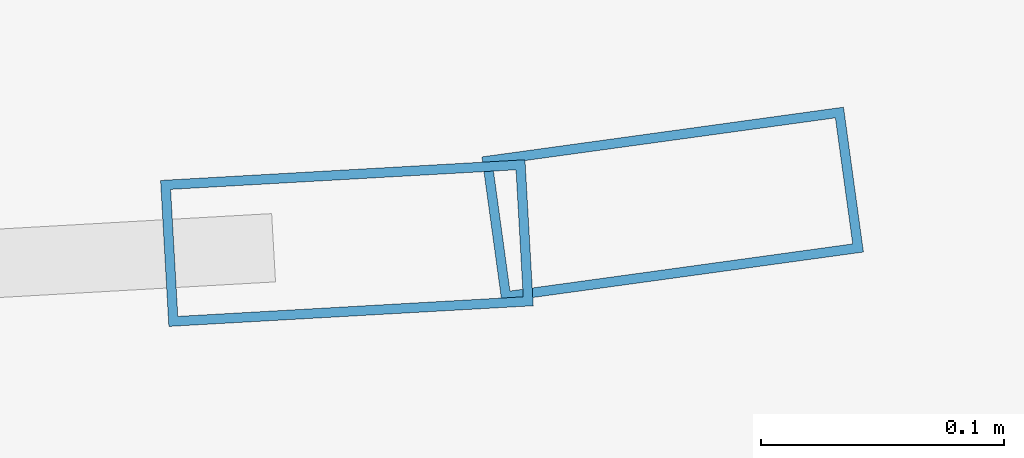
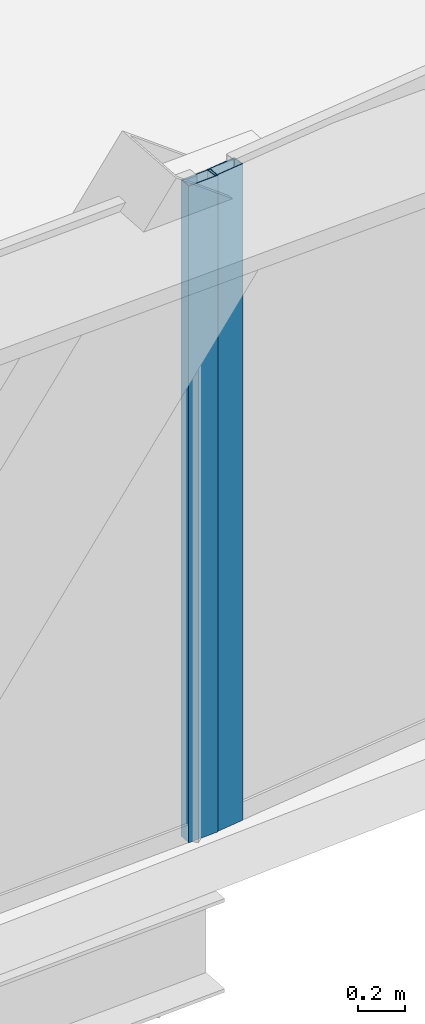
# One storey, part 14 of 39: 2 members, 2 elements without a shape of their own.
"""IFC4 building model written with IfcOpenShell, lengths in metres."""

from ifc_helpers import new_model, si_unit, direction, frame, origin, origin_2d, place, context, subcontext, project, spatial, hollow_rectangle, extrude, source, transform, mapped, material, layer, layer_set, material_profile, profile_set, type_object, element, aggregate, save


model = new_model("IFC4")

# Units and contexts
model_context = context("Model", 3, precision=1e-05, world=origin(), true_north=direction((0.0, 1.0)))
body_context = subcontext(model_context, "Body", "Model", "MODEL_VIEW")
ifc_project = project(units=[si_unit("LENGTHUNIT", "METRE"), si_unit("AREAUNIT", "SQUARE_METRE"), si_unit("VOLUMEUNIT", "CUBIC_METRE"), si_unit("PLANEANGLEUNIT", "RADIAN"), si_unit("MASSUNIT", "GRAM", prefix="KILO"), si_unit("THERMODYNAMICTEMPERATUREUNIT", "KELVIN"), si_unit("POWERUNIT", "WATT")], contexts=[model_context])

# Site, building, storey
site_placement = place(None, origin())
site = spatial("IfcSite", under=ifc_project, at=site_placement, CompositionType="ELEMENT")
building_placement = place(site_placement, origin())
building = spatial("IfcBuilding", under=site, at=building_placement, Name="Yunzhuo Pagoda Commons", CompositionType="ELEMENT")
storey_placement = place(building_placement, frame((0.0, 0.0, 140.8701171875)))
storey = spatial("IfcBuildingStorey", under=building, at=storey_placement, Name="L35", CompositionType="ELEMENT", Elevation=140.8701171875)

# Curtain wall, member
ifc_material = material(Name="Anodized aluminium 6063-T6", Category="aluminium")
ifc_layer = layer(ifc_material, 0.14990234375)
ifc_layer_set = layer_set([ifc_layer], Name="Anodized aluminium 6063-T6")
curtain_wall_type = type_object("IfcCurtainWallType", Name="CW-MID Mid-Zone Ribbon Curtain Wall", PredefinedType="NOTDEFINED", material=ifc_layer_set)
curtain_wall_1_placement = place(storey_placement, origin())
curtain_wall_1 = element("IfcCurtainWall", 1, at=curtain_wall_1_placement, inside=storey, type_object=curtain_wall_type, Name="L35 curtain wall CW-L35-F1B4", PredefinedType="NOTDEFINED")
ifc_material_profile = material_profile(ifc_material, hollow_rectangle(XDim=0.06005859375, YDim=0.14990234375, WallThickness=0.00390625, at=origin_2d()), Name="Anodized aluminium 6063-T6")
ifc_profile_set = profile_set([ifc_material_profile], Name="Anodized aluminium 6063-T6")
member_type = type_object("IfcMemberType", Name="CW-MID-M Mullion RHS 150x60x4", PredefinedType="MULLION", material=ifc_profile_set)
shared_shape = source(origin(), body_context, "Body", "SweptSolid", [
    extrude(hollow_rectangle(XDim=0.06005859375, YDim=0.14990234375, WallThickness=0.00390625, at=origin_2d()), origin(), (0.0, 0.0, 1.0), 3.419921875),
])
member_1_placement = place(storey_placement, frame((64.65576171875, 13.813232421875, 0.0), z_axis=(0.0, 0.0, 1.0), x_axis=(-0.056597401536, 0.998397082397, 0.0)))
member_1 = element("IfcMember", 2, at=member_1_placement, type_object=member_type, Name="CW mullion 2", PredefinedType="MULLION", context=body_context, shape_type="MappedRepresentation", body=[
    mapped(shared_shape, transform((0.0, 0.0, 0.0), scale=1.0)),
])
aggregate(curtain_wall_1, [member_1])

curtain_wall_2_placement = place(storey_placement, origin())
curtain_wall_2 = element("IfcCurtainWall", 3, at=curtain_wall_2_placement, inside=storey, type_object=curtain_wall_type, Name="L35 curtain wall CW-L35-F1B5", PredefinedType="NOTDEFINED")
member_2_placement = place(storey_placement, frame((64.78955078125, 13.8291015625, 0.0), z_axis=(0.0, 0.0, 1.0), x_axis=(-0.136220738131, 0.990678510165, 0.0)))
member_2 = element("IfcMember", 4, at=member_2_placement, type_object=member_type, Name="CW mullion 1", PredefinedType="MULLION", context=body_context, shape_type="MappedRepresentation", body=[
    mapped(shared_shape, transform((0.0, 0.0, 0.0), scale=1.0)),
])
aggregate(curtain_wall_2, [member_2])

save(model, "model.ifc")
